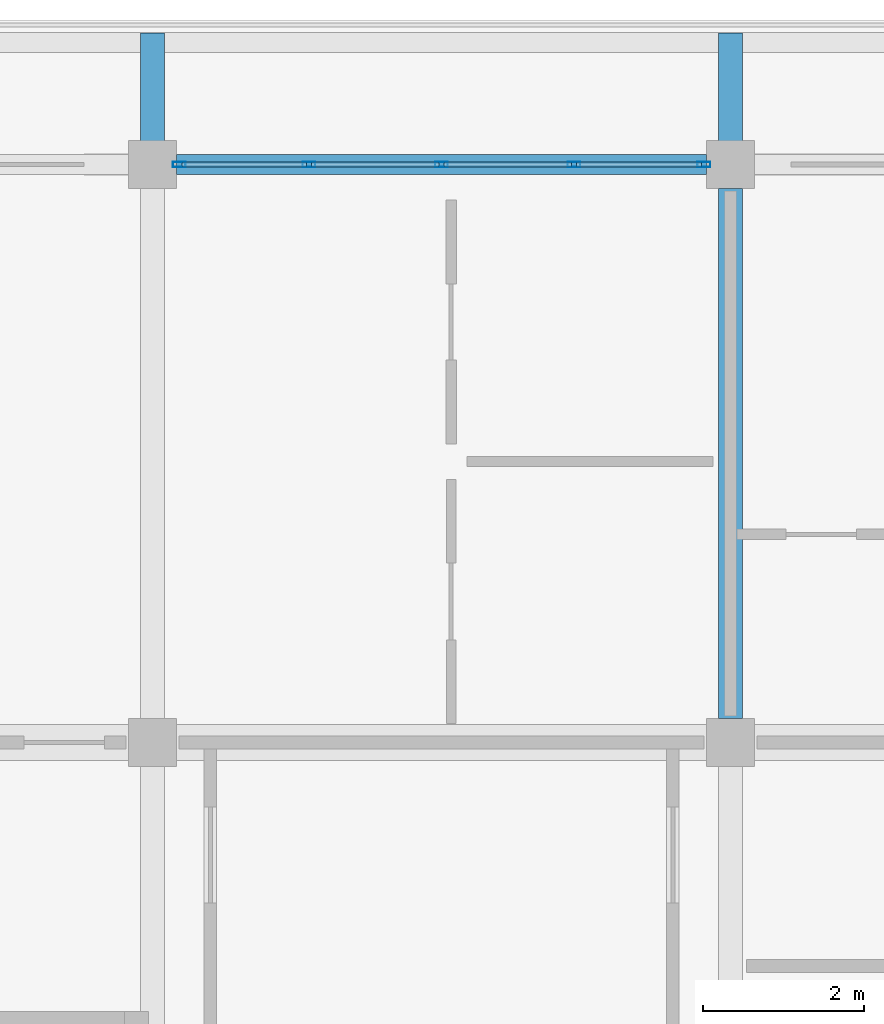
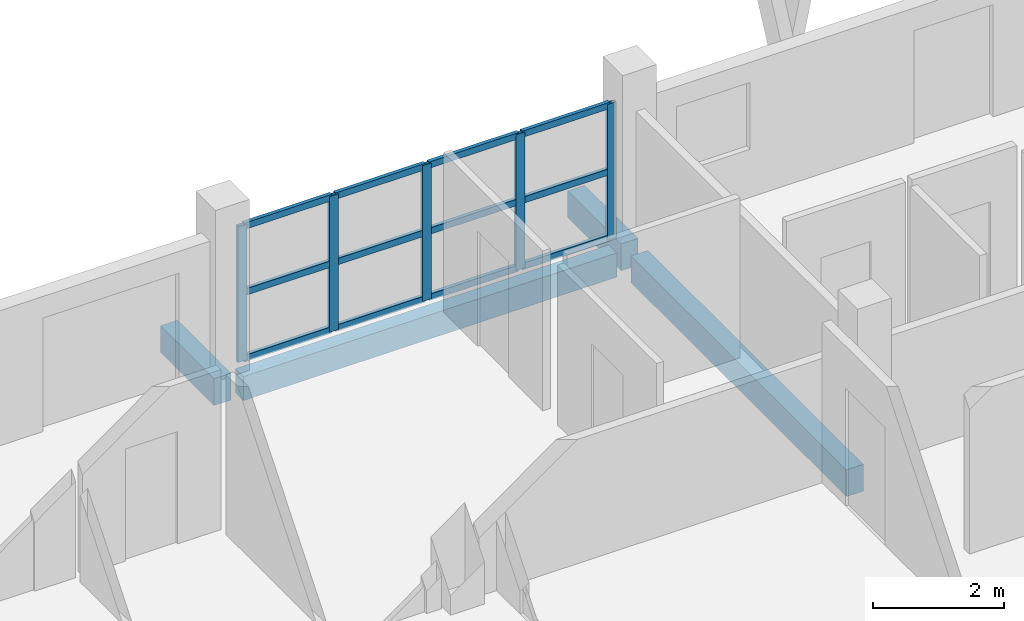
# One storey, part 15 of 67: 17 members, 4 beams, 1 element without a shape of its own.
"""IFC4 building model written with IfcOpenShell, lengths in metres."""

import ifcopenshell
import ifcopenshell.guid

model = None  # the IFC model being written
_history = None  # IfcOwnerHistory: only IFC2X3 demands one
_inside = {}  # id of a spatial element -> (the spatial element, [elements in it])
_under = {}  # id of a project, library or spatial element -> (it, [spatial elements below it])
_declared = {}  # id of a project -> (the project, [libraries it declares])
_typed = {}  # id of a type object -> (the type object, [elements of that type])
_made_of = {}  # id of a material, layer set ... -> (it, [elements and type objects made of it])


def new_model(schema):
    """Start an empty IFC model of exactly this schema.

    Asked for "IFC4X3", IfcOpenShell would pick the latest addendum, in which some entities
    have other attributes; the version numbers below select the first issue.
    IFC2X3 requires an IfcOwnerHistory on every rooted entity: one is made here for all.
    """
    global model, _history
    if schema == "IFC4X3":
        model = ifcopenshell.file(schema_version=(4, 3, 0, 0))
    else:
        model = ifcopenshell.file(schema=schema)
    _inside.clear()
    _under.clear()
    _declared.clear()
    _typed.clear()
    _made_of.clear()
    _history = None
    if model.schema == "IFC2X3":
        org = make("IfcOrganization", Name="unknown")
        user = make(
            "IfcPersonAndOrganization",
            ThePerson=make("IfcPerson", FamilyName="unknown"),
            TheOrganization=org,
        )
        app = make(
            "IfcApplication",
            ApplicationDeveloper=org,
            Version="unknown",
            ApplicationFullName="unknown",
            ApplicationIdentifier="unknown",
        )
        _history = make(
            "IfcOwnerHistory",
            OwningUser=user,
            OwningApplication=app,
            ChangeAction="ADDED",
            CreationDate=0,
        )
    return model


def make(cls, **values):
    """One entity of the class cls with the attributes given. An attribute that is None is left unset."""
    return model.create_entity(
        cls, **{name: value for name, value in values.items() if value is not None}
    )


def rooted(cls, **values):
    """An entity with a GlobalId (a new one), such as an element, a storey or a relation."""
    return make(cls, GlobalId=ifcopenshell.guid.new(), OwnerHistory=_history, **values)


def si_unit(unit_type, name, prefix=None):
    """IfcSIUnit, for example si_unit("LENGTHUNIT", "METRE", prefix="MILLI")."""
    return make("IfcSIUnit", UnitType=unit_type, Prefix=prefix, Name=name)


def assignment(units):
    """IfcUnitAssignment: the units of a project."""
    return None if units is None else make("IfcUnitAssignment", Units=units)


def point(xyz):
    """IfcCartesianPoint."""
    return None if xyz is None else make("IfcCartesianPoint", Coordinates=xyz)


def direction(xyz):
    """IfcDirection."""
    return None if xyz is None else make("IfcDirection", DirectionRatios=xyz)


def frame(location, z_axis=None, x_axis=None):
    """IfcAxis2Placement3D, a coordinate frame: its origin and axes. An axis left out is left unset."""
    return make(
        "IfcAxis2Placement3D",
        Location=point(location),
        Axis=direction(z_axis),
        RefDirection=direction(x_axis),
    )


def frame_2d(location, x_axis=None):
    """IfcAxis2Placement2D, a coordinate frame in the plane: its origin and x axis."""
    return make(
        "IfcAxis2Placement2D", Location=point(location), RefDirection=direction(x_axis)
    )


def origin():
    """The frame at (0, 0, 0) with its axes left unset."""
    return frame((0.0, 0.0, 0.0))


def origin_2d():
    """The frame at (0, 0) in the plane with its x axis left unset."""
    return frame_2d((0.0, 0.0))


def place(relative_to, where):
    """IfcLocalPlacement: puts the frame where relative to a parent placement (None: the world)."""
    return make(
        "IfcLocalPlacement", PlacementRelTo=relative_to, RelativePlacement=where
    )


def context(
    kind, dimensions, precision=None, world=None, true_north=None, identifier=None
):
    """IfcGeometricRepresentationContext, for example the 3D "Model" context."""
    return make(
        "IfcGeometricRepresentationContext",
        ContextIdentifier=identifier,
        ContextType=kind,
        CoordinateSpaceDimension=dimensions,
        Precision=precision,
        WorldCoordinateSystem=world,
        TrueNorth=true_north,
    )


def subcontext(parent, identifier, kind, view, scale=None):
    """IfcGeometricRepresentationSubContext, for example "Body" below "Model"."""
    return make(
        "IfcGeometricRepresentationSubContext",
        ContextIdentifier=identifier,
        ContextType=kind,
        ParentContext=parent,
        TargetScale=scale,
        TargetView=view,
    )


def project(units=None, contexts=None):
    """IfcProject with its units and contexts."""
    return rooted(
        "IfcProject",
        Name="project",
        RepresentationContexts=contexts,
        UnitsInContext=assignment(units),
    )


def spatial(cls, under=None, at=None, **own):
    """A site, building, storey or space (cls), placed at a placement, below another one or the project."""
    s = rooted(cls, ObjectPlacement=at, **own)
    if under is not None:
        _under.setdefault(under.id(), (under, []))[1].append(s)
    return s


def profile(cls, at=None, kind="AREA", **sizes):
    """A parametric profile (cls). Its sizes go by their IFC names, for example OverallWidth=200.0."""
    return make(cls, ProfileType=kind, Position=at, **sizes)


def rectangle(**sizes):
    """IfcRectangleProfileDef."""
    return profile("IfcRectangleProfileDef", **sizes)


def hollow_rectangle(**sizes):
    """IfcRectangleHollowProfileDef."""
    return profile("IfcRectangleHollowProfileDef", **sizes)


def extrude(swept, where, along, depth):
    """IfcExtrudedAreaSolid: the profile swept, set in the frame where, extruded along a direction by depth."""
    return make(
        "IfcExtrudedAreaSolid",
        SweptArea=swept,
        Position=where,
        ExtrudedDirection=direction(along),
        Depth=depth,
    )


def shape(context_of_items, identifier, shape_type, items):
    """IfcShapeRepresentation: the items that make up one representation, for example the "Body"."""
    return make(
        "IfcShapeRepresentation",
        ContextOfItems=context_of_items,
        RepresentationIdentifier=identifier,
        RepresentationType=shape_type,
        Items=items,
    )


def material(Name=None, Category=None):
    """IfcMaterial."""
    return make("IfcMaterial", Name=Name, Category=Category)


def material_profile(
    of_material, cross_section, Name=None, Category=None, Priority=None
):
    """IfcMaterialProfile: a cross section and its material."""
    return make(
        "IfcMaterialProfile",
        Name=Name,
        Material=of_material,
        Profile=cross_section,
        Priority=Priority,
        Category=Category,
    )


def profile_set(profiles, Name=None, composite=None):
    """IfcMaterialProfileSet."""
    return make(
        "IfcMaterialProfileSet",
        Name=Name,
        MaterialProfiles=profiles,
        CompositeProfile=composite,
    )


def made_of(thing, what):
    """Note that an element or type object is made of a material, layer set ...; save() writes the relation."""
    if what is not None:
        _made_of.setdefault(what.id(), (what, []))[1].append(thing)
    return thing


def type_object(cls, material=None, **own):
    """A type object (cls), such as IfcWallType, which elements share."""
    return made_of(rooted(cls, **own), material)


def element(
    cls,
    number,
    at=None,
    inside=None,
    cuts=None,
    type_object=None,
    material=None,
    context=None,
    identifier="Body",
    shape_type=None,
    held_by="IfcProductDefinitionShape",
    body=None,
    shapes=None,
    **own,
):
    """One element of the class cls, such as IfcWall. Its Tag is "e" and its number.

    at: its placement. inside: the storey or other place that contains it. cuts: it is an
    opening in that element (IfcRelVoidsElement). A single representation is given by context,
    identifier, shape_type and body (its items); several are given by shapes. held_by: the class
    of the entity that holds the representations. save() writes the other relations.
    """
    e = rooted(cls, Tag="e%d" % number, ObjectPlacement=at, **own)
    if body is not None:
        shapes = [shape(context, identifier, shape_type, body)]
    if shapes is not None:
        e.Representation = make(held_by, Representations=shapes)
    if inside is not None:
        _inside.setdefault(inside.id(), (inside, []))[1].append(e)
    if cuts is not None:
        rooted(
            "IfcRelVoidsElement", RelatingBuildingElement=cuts, RelatedOpeningElement=e
        )
    if type_object is not None:
        _typed.setdefault(type_object.id(), (type_object, []))[1].append(e)
    return made_of(e, material)


def aggregate(whole, parts):
    """IfcRelAggregates: a whole, such as a stair, and the parts it consists of."""
    return rooted("IfcRelAggregates", RelatingObject=whole, RelatedObjects=parts)


def save(model, path):
    """Write the relations noted so far, then the file.

    IfcRelAggregates (storeys below a building ...), IfcRelContainedInSpatialStructure (elements
    in a storey), IfcRelDefinesByType, IfcRelAssociatesMaterial and IfcRelDeclares: one each for
    every whole, place, type object, material and project.
    """
    for whole, parts in _under.values():
        aggregate(whole, parts)
    for where, things in _inside.values():
        rooted(
            "IfcRelContainedInSpatialStructure",
            RelatedElements=things,
            RelatingStructure=where,
        )
    for kind, things in _typed.values():
        rooted("IfcRelDefinesByType", RelatedObjects=things, RelatingType=kind)
    for what, things in _made_of.values():
        rooted("IfcRelAssociatesMaterial", RelatedObjects=things, RelatingMaterial=what)
    for by, libraries in _declared.values():
        rooted("IfcRelDeclares", RelatingContext=by, RelatedDefinitions=libraries)
    model.write(path)


model = new_model("IFC4")

# Units and contexts
model_context = context("Model", 3, precision=1e-05, world=origin(), true_north=direction((0.0, 1.0)))
body_context = subcontext(model_context, "Body", "Model", "MODEL_VIEW")
ifc_project = project(units=[si_unit("LENGTHUNIT", "METRE"), si_unit("AREAUNIT", "SQUARE_METRE"), si_unit("VOLUMEUNIT", "CUBIC_METRE"), si_unit("PLANEANGLEUNIT", "RADIAN"), si_unit("MASSUNIT", "GRAM", prefix="KILO")], contexts=[model_context])

# Site, building, storey
site_placement = place(None, origin())
site = spatial("IfcSite", under=ifc_project, at=site_placement, CompositionType="ELEMENT")
building_placement = place(site_placement, origin())
building = spatial("IfcBuilding", under=site, at=building_placement, Name="Suanplinth Sawtooth Commons", CompositionType="ELEMENT")
storey_placement = place(building_placement, frame((0.0, 0.0, 25.10009765625)))
storey = spatial("IfcBuildingStorey", under=building, at=storey_placement, Name="L07", CompositionType="ELEMENT", Elevation=25.10009765625)

# Beams
ifc_material_1 = material(Name="Precast concrete C40/50", Category="concrete")
ifc_material_profile_1 = material_profile(ifc_material_1, rectangle(XDim=0.300048828125, YDim=0.5, at=origin_2d()), Name="PC-BM 300x500")
ifc_profile_set_1 = profile_set([ifc_material_profile_1], Name="Precast concrete C40/50")
beam_type_1 = type_object("IfcBeamType", Name="B-07", PredefinedType="BEAM", material=ifc_profile_set_1)
beam_1_placement = place(storey_placement, frame((72.0, 115.5, -0.47021484375), z_axis=(0.0, 1.0, 0.0), x_axis=(-1.0, 0.0, 0.0)))
element("IfcBeam", 1, at=beam_1_placement, inside=storey, type_object=beam_type_1, Name="BMY-L07-A-10-16", PredefinedType="BEAM", context=body_context, shape_type="SweptSolid", body=[
    extrude(rectangle(XDim=0.300048828125, YDim=0.5, at=origin_2d()), origin(), (0.0, 0.0, 1.0), 6.60009765625),
])
for number, where, z_axis, x_axis, name in (
    (2, (64.800048828125, 122.39990234375, -0.43017578125), (0.0, 1.0, 0.0), (-1.0, 0.0, 0.0), "Balcony Outrigger L07-A-N-9"),
    (3, (72.0, 122.39990234375, -0.43017578125), (0.0, 1.0, 0.0), (-1.0, 0.0, 0.0), "Balcony Outrigger L07-A-N-10"),
):
    element("IfcBeam", number, at=place(storey_placement, frame(where, z_axis=z_axis, x_axis=x_axis)), inside=storey, type_object=beam_type_1, Name=name, PredefinedType="BEAM", context=body_context, shape_type="SweptSolid", body=[
        extrude(rectangle(XDim=0.300048828125, YDim=0.5, at=origin_2d()), origin(), (0.0, 0.0, 1.0), 1.64013671875),
    ])
ifc_material_profile_2 = material_profile(ifc_material_1, rectangle(XDim=0.25, YDim=0.449951171875, at=origin_2d()), Name="PC-SP 250x450")
ifc_profile_set_2 = profile_set([ifc_material_profile_2], Name="Precast concrete C40/50")
beam_type_2 = type_object("IfcBeamType", Name="B-09", PredefinedType="SPANDREL", material=ifc_profile_set_2)
beam_2_placement = place(storey_placement, frame((65.10009765625, 122.39990234375, -0.445068359375), z_axis=(1.0, 0.0, 0.0), x_axis=(0.0, 1.0, 0.0)))
element("IfcBeam", 4, at=beam_2_placement, inside=storey, type_object=beam_type_2, Name="BMX-L07-A-9-17", PredefinedType="SPANDREL", context=body_context, shape_type="SweptSolid", body=[
    extrude(rectangle(XDim=0.25, YDim=0.449951171875, at=origin_2d()), origin(), (0.0, 0.0, 1.0), 6.599853515625),
])

# Curtain wall, members
ifc_material_2 = material(Name="Anodized aluminium and low-E glazing", Category="aluminium")
curtain_wall_type = type_object("IfcCurtainWallType", Name="CW-06", PredefinedType="USERDEFINED", material=ifc_material_2)
curtain_wall_placement = place(storey_placement, origin())
curtain_wall = element("IfcCurtainWall", 5, at=curtain_wall_placement, inside=storey, type_object=curtain_wall_type, Name="Curtain Wall CW-L07-A-LOUNGE-8", ObjectType="CURTAIN WALL", PredefinedType="USERDEFINED")
ifc_material_3 = material(Name="Anodized aluminium 6063-T6", Category="aluminium")
ifc_material_profile_3 = material_profile(ifc_material_3, hollow_rectangle(XDim=0.06494140625, YDim=0.159912109375, WallThickness=0.00390625, at=origin_2d()), Name="ALU-MUL 65x160")
ifc_profile_set_3 = profile_set([ifc_material_profile_3], Name="Anodized aluminium 6063-T6")
member_type_1 = type_object("IfcMemberType", Name="M-13", PredefinedType="MULLION", material=ifc_profile_set_3)
member_1_placement = place(storey_placement, frame((65.132568359375, 122.39990234375, 0.0), z_axis=(0.0, 0.0, 1.0), x_axis=(0.0, 1.0, 0.0)))
member_1 = element("IfcMember", 6, at=member_1_placement, type_object=member_type_1, Name="CW-06 mullion 1", PredefinedType="MULLION", context=body_context, shape_type="SweptSolid", body=[
    extrude(hollow_rectangle(XDim=0.06494140625, YDim=0.159912109375, WallThickness=0.00390625, at=origin_2d()), origin(), (0.0, 0.0, 1.0), 2.539794921875),
])
member_2_placement = place(storey_placement, frame((66.75, 122.39990234375, 0.0), z_axis=(0.0, 0.0, 1.0), x_axis=(0.0, 1.0, 0.0)))
member_2 = element("IfcMember", 7, at=member_2_placement, type_object=member_type_1, Name="CW-06 mullion 2", PredefinedType="MULLION", context=body_context, shape_type="SweptSolid", body=[
    extrude(hollow_rectangle(XDim=0.06494140625, YDim=0.159912109375, WallThickness=0.00390625, at=origin_2d()), origin(), (0.0, 0.0, 1.0), 2.539794921875),
])
member_3_placement = place(storey_placement, frame((68.39990234375, 122.39990234375, 0.0), z_axis=(0.0, 0.0, 1.0), x_axis=(0.0, 1.0, 0.0)))
member_3 = element("IfcMember", 8, at=member_3_placement, type_object=member_type_1, Name="CW-06 mullion 3", PredefinedType="MULLION", context=body_context, shape_type="SweptSolid", body=[
    extrude(hollow_rectangle(XDim=0.06494140625, YDim=0.159912109375, WallThickness=0.00390625, at=origin_2d()), origin(), (0.0, 0.0, 1.0), 2.539794921875),
])
member_4_placement = place(storey_placement, frame((70.050048828125, 122.39990234375, 0.0), z_axis=(0.0, 0.0, 1.0), x_axis=(0.0, 1.0, 0.0)))
member_4 = element("IfcMember", 9, at=member_4_placement, type_object=member_type_1, Name="CW-06 mullion 4", PredefinedType="MULLION", context=body_context, shape_type="SweptSolid", body=[
    extrude(hollow_rectangle(XDim=0.06494140625, YDim=0.159912109375, WallThickness=0.00390625, at=origin_2d()), origin(), (0.0, 0.0, 1.0), 2.539794921875),
])
member_5_placement = place(storey_placement, frame((71.66748046875, 122.39990234375, 0.0), z_axis=(0.0, 0.0, 1.0), x_axis=(0.0, 1.0, 0.0)))
member_5 = element("IfcMember", 10, at=member_5_placement, type_object=member_type_1, Name="CW-06 mullion 5", PredefinedType="MULLION", context=body_context, shape_type="SweptSolid", body=[
    extrude(hollow_rectangle(XDim=0.06494140625, YDim=0.159912109375, WallThickness=0.00390625, at=origin_2d()), origin(), (0.0, 0.0, 1.0), 2.539794921875),
])
ifc_material_profile_4 = material_profile(ifc_material_3, hollow_rectangle(XDim=0.06494140625, YDim=0.1201171875, WallThickness=0.00390625, at=origin_2d()), Name="ALU-TRN 65x120")
ifc_profile_set_4 = profile_set([ifc_material_profile_4], Name="Anodized aluminium 6063-T6")
member_type_2 = type_object("IfcMemberType", Name="M-15", PredefinedType="USERDEFINED", material=ifc_profile_set_4)
member_6_placement = place(storey_placement, frame((65.1650390625, 122.39990234375, 0.032470703125), z_axis=(1.0, 0.0, 0.0), x_axis=(0.0, 1.0, 0.0)))
member_6 = element("IfcMember", 11, at=member_6_placement, type_object=member_type_2, Name="CW-06 transom 1.1", ObjectType="TRANSOM", PredefinedType="USERDEFINED", context=body_context, shape_type="SweptSolid", body=[
    extrude(hollow_rectangle(XDim=0.06494140625, YDim=0.1201171875, WallThickness=0.00390625, at=origin_2d()), origin(), (0.0, 0.0, 1.0), 1.552490234375),
])
member_7_placement = place(storey_placement, frame((65.1650390625, 122.39990234375, 1.27001953125), z_axis=(1.0, 0.0, 0.0), x_axis=(0.0, 1.0, 0.0)))
member_7 = element("IfcMember", 12, at=member_7_placement, type_object=member_type_2, Name="CW-06 transom 1.2", ObjectType="TRANSOM", PredefinedType="USERDEFINED", context=body_context, shape_type="SweptSolid", body=[
    extrude(hollow_rectangle(XDim=0.06494140625, YDim=0.1201171875, WallThickness=0.00390625, at=origin_2d()), origin(), (0.0, 0.0, 1.0), 1.552490234375),
])
member_8_placement = place(storey_placement, frame((65.1650390625, 122.39990234375, 2.50732421875), z_axis=(1.0, 0.0, 0.0), x_axis=(0.0, 1.0, 0.0)))
member_8 = element("IfcMember", 13, at=member_8_placement, type_object=member_type_2, Name="CW-06 transom 1.3", ObjectType="TRANSOM", PredefinedType="USERDEFINED", context=body_context, shape_type="SweptSolid", body=[
    extrude(hollow_rectangle(XDim=0.06494140625, YDim=0.1201171875, WallThickness=0.00390625, at=origin_2d()), origin(), (0.0, 0.0, 1.0), 1.552490234375),
])
member_9_placement = place(storey_placement, frame((66.782470703125, 122.39990234375, 0.032470703125), z_axis=(1.0, 0.0, 0.0), x_axis=(0.0, 1.0, 0.0)))
member_9 = element("IfcMember", 14, at=member_9_placement, type_object=member_type_2, Name="CW-06 transom 2.1", ObjectType="TRANSOM", PredefinedType="USERDEFINED", context=body_context, shape_type="SweptSolid", body=[
    extrude(hollow_rectangle(XDim=0.06494140625, YDim=0.1201171875, WallThickness=0.00390625, at=origin_2d()), origin(), (0.0, 0.0, 1.0), 1.5849609375),
])
member_10_placement = place(storey_placement, frame((66.782470703125, 122.39990234375, 1.27001953125), z_axis=(1.0, 0.0, 0.0), x_axis=(0.0, 1.0, 0.0)))
member_10 = element("IfcMember", 15, at=member_10_placement, type_object=member_type_2, Name="CW-06 transom 2.2", ObjectType="TRANSOM", PredefinedType="USERDEFINED", context=body_context, shape_type="SweptSolid", body=[
    extrude(hollow_rectangle(XDim=0.06494140625, YDim=0.1201171875, WallThickness=0.00390625, at=origin_2d()), origin(), (0.0, 0.0, 1.0), 1.5849609375),
])
member_11_placement = place(storey_placement, frame((66.782470703125, 122.39990234375, 2.50732421875), z_axis=(1.0, 0.0, 0.0), x_axis=(0.0, 1.0, 0.0)))
member_11 = element("IfcMember", 16, at=member_11_placement, type_object=member_type_2, Name="CW-06 transom 2.3", ObjectType="TRANSOM", PredefinedType="USERDEFINED", context=body_context, shape_type="SweptSolid", body=[
    extrude(hollow_rectangle(XDim=0.06494140625, YDim=0.1201171875, WallThickness=0.00390625, at=origin_2d()), origin(), (0.0, 0.0, 1.0), 1.5849609375),
])
member_12_placement = place(storey_placement, frame((68.4326171875, 122.39990234375, 0.032470703125), z_axis=(1.0, 0.0, 0.0), x_axis=(0.0, 1.0, 0.0)))
member_12 = element("IfcMember", 17, at=member_12_placement, type_object=member_type_2, Name="CW-06 transom 3.1", ObjectType="TRANSOM", PredefinedType="USERDEFINED", context=body_context, shape_type="SweptSolid", body=[
    extrude(hollow_rectangle(XDim=0.06494140625, YDim=0.1201171875, WallThickness=0.00390625, at=origin_2d()), origin(), (0.0, 0.0, 1.0), 1.5849609375),
])
member_13_placement = place(storey_placement, frame((68.4326171875, 122.39990234375, 1.27001953125), z_axis=(1.0, 0.0, 0.0), x_axis=(0.0, 1.0, 0.0)))
member_13 = element("IfcMember", 18, at=member_13_placement, type_object=member_type_2, Name="CW-06 transom 3.2", ObjectType="TRANSOM", PredefinedType="USERDEFINED", context=body_context, shape_type="SweptSolid", body=[
    extrude(hollow_rectangle(XDim=0.06494140625, YDim=0.1201171875, WallThickness=0.00390625, at=origin_2d()), origin(), (0.0, 0.0, 1.0), 1.5849609375),
])
member_14_placement = place(storey_placement, frame((68.4326171875, 122.39990234375, 2.50732421875), z_axis=(1.0, 0.0, 0.0), x_axis=(0.0, 1.0, 0.0)))
member_14 = element("IfcMember", 19, at=member_14_placement, type_object=member_type_2, Name="CW-06 transom 3.3", ObjectType="TRANSOM", PredefinedType="USERDEFINED", context=body_context, shape_type="SweptSolid", body=[
    extrude(hollow_rectangle(XDim=0.06494140625, YDim=0.1201171875, WallThickness=0.00390625, at=origin_2d()), origin(), (0.0, 0.0, 1.0), 1.5849609375),
])
member_15_placement = place(storey_placement, frame((70.08251953125, 122.39990234375, 0.032470703125), z_axis=(1.0, 0.0, 0.0), x_axis=(0.0, 1.0, 0.0)))
member_15 = element("IfcMember", 20, at=member_15_placement, type_object=member_type_2, Name="CW-06 transom 4.1", ObjectType="TRANSOM", PredefinedType="USERDEFINED", context=body_context, shape_type="SweptSolid", body=[
    extrude(hollow_rectangle(XDim=0.06494140625, YDim=0.1201171875, WallThickness=0.00390625, at=origin_2d()), origin(), (0.0, 0.0, 1.0), 1.552490234375),
])
member_16_placement = place(storey_placement, frame((70.08251953125, 122.39990234375, 1.27001953125), z_axis=(1.0, 0.0, 0.0), x_axis=(0.0, 1.0, 0.0)))
member_16 = element("IfcMember", 21, at=member_16_placement, type_object=member_type_2, Name="CW-06 transom 4.2", ObjectType="TRANSOM", PredefinedType="USERDEFINED", context=body_context, shape_type="SweptSolid", body=[
    extrude(hollow_rectangle(XDim=0.06494140625, YDim=0.1201171875, WallThickness=0.00390625, at=origin_2d()), origin(), (0.0, 0.0, 1.0), 1.552490234375),
])
member_17_placement = place(storey_placement, frame((70.08251953125, 122.39990234375, 2.50732421875), z_axis=(1.0, 0.0, 0.0), x_axis=(0.0, 1.0, 0.0)))
member_17 = element("IfcMember", 22, at=member_17_placement, type_object=member_type_2, Name="CW-06 transom 4.3", ObjectType="TRANSOM", PredefinedType="USERDEFINED", context=body_context, shape_type="SweptSolid", body=[
    extrude(hollow_rectangle(XDim=0.06494140625, YDim=0.1201171875, WallThickness=0.00390625, at=origin_2d()), origin(), (0.0, 0.0, 1.0), 1.552490234375),
])
aggregate(curtain_wall, [member_1, member_2, member_3, member_4, member_5, member_6, member_7, member_8, member_9, member_10, member_11, member_12, member_13, member_14, member_15, member_16, member_17])

save(model, "model.ifc")
